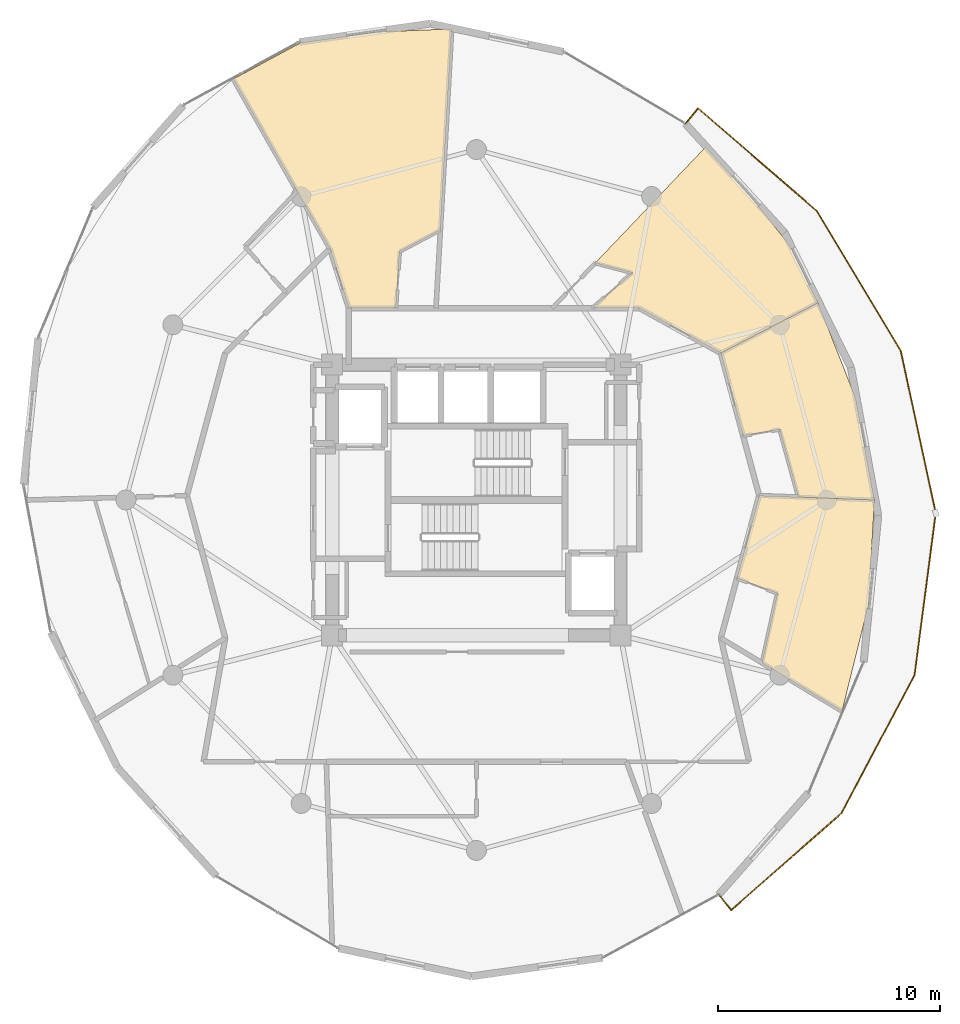
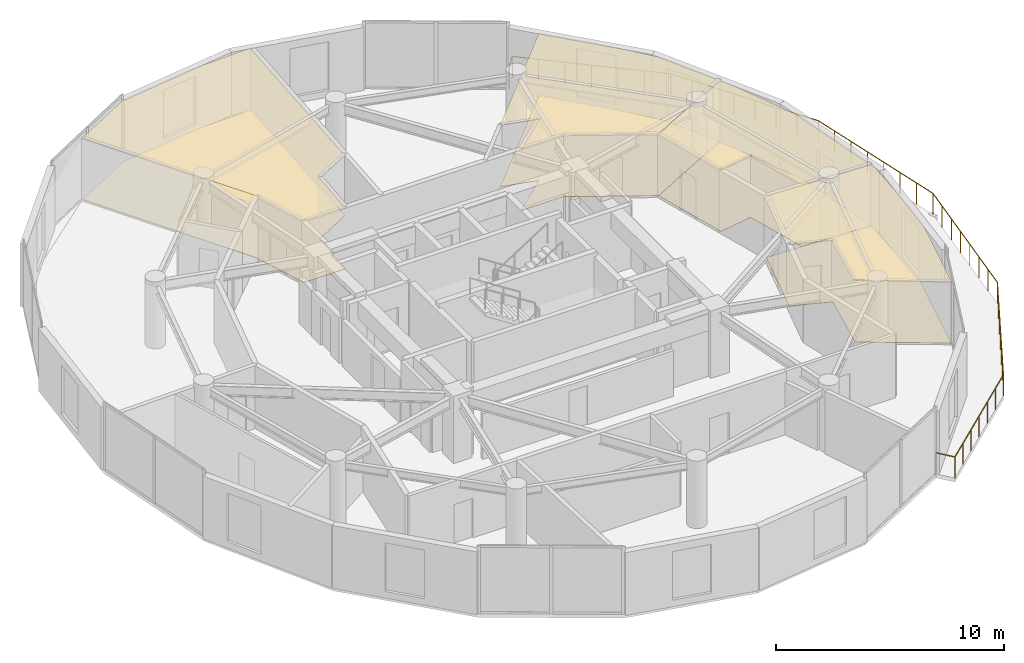
# One storey, part 21 of 21: 8 coverings, 1 railing.
"""IFC4 building model written with IfcOpenShell, lengths in metres."""

from ifc_helpers import new_model, si_unit, direction, frame, origin, origin_2d, place, context, subcontext, project, spatial, polyline, circle, outline, extrude, material, layer, layer_set, type_object, element, save


model = new_model("IFC4")

# Units and contexts
model_context = context("Model", 3, precision=1e-05, world=origin(), true_north=direction((0.0, 1.0)))
body_context = subcontext(model_context, "Body", "Model", "MODEL_VIEW")
ifc_project = project(units=[si_unit("LENGTHUNIT", "METRE"), si_unit("AREAUNIT", "SQUARE_METRE"), si_unit("VOLUMEUNIT", "CUBIC_METRE"), si_unit("PLANEANGLEUNIT", "RADIAN"), si_unit("MASSUNIT", "GRAM", prefix="KILO")], contexts=[model_context])

# Site, building, storey
site_placement = place(None, origin())
site = spatial("IfcSite", under=ifc_project, at=site_placement, CompositionType="ELEMENT")
building_placement = place(site_placement, origin())
building = spatial("IfcBuilding", under=site, at=building_placement, Name="Solvirekh Grand Hotel", CompositionType="ELEMENT")
storey_placement = place(building_placement, frame((0.0, 0.0, 223.60009765625)))
storey = spatial("IfcBuildingStorey", under=building, at=storey_placement, Name="L58", CompositionType="ELEMENT", Elevation=223.60009765625)

# Coverings
ifc_material_1 = material(Name="Acoustic Mineral Ceiling Tile")
ifc_layer_1 = layer(ifc_material_1, 0.02490234375)
ifc_layer_set_1 = layer_set([ifc_layer_1], Name="Acoustic Mineral Ceiling Tile")
covering_type_1 = type_object("IfcCoveringType", Name="Cov_Ceiling_Acoustic", PredefinedType="CEILING", material=ifc_layer_set_1)
covering_1_placement = place(storey_placement, frame((0.0, 0.0, 3.309814453125)))
element("IfcCovering", 1, at=covering_1_placement, inside=storey, type_object=covering_type_1, Name="L58 Deluxe Guestroom 6001 acoustic ceiling", PredefinedType="CEILING", context=body_context, shape_type="SweptSolid", body=[
    extrude(outline(polyline([(3.419921875, 8.64990234375), (5.35595703125, 10.68310546875), (7.031005859375, 10.2470703125), (5.22802734375, 8.64990234375), (7.35009765625, 8.64990234375), (11.02197265625, 6.625), (15.405029296875, 8.89404296875), (14.14599609375, 11.455078125), (12.340087890625, 13.705078125), (10.3330078125, 15.912109375), (3.419921875, 8.64990234375)])), origin(), (0.0, 0.0, 1.0), 0.01806640625),
])
covering_2_placement = place(storey_placement, frame((0.0, 0.0, 3.309814453125)))
element("IfcCovering", 2, at=covering_2_placement, inside=storey, type_object=covering_type_1, Name="L58 Deluxe Guestroom 6002 acoustic ceiling", PredefinedType="CEILING", context=body_context, shape_type="SweptSolid", body=[
    extrude(outline(polyline([(-3.6279296875, 8.64990234375), (-3.4609375, 11.2041015625), (-1.6220703125, 12.175048828125), (-1.113037109375, 21.239990234375), (-4.485107421875, 21.10205078125), (-7.9150390625, 20.618896484375), (-10.958984375, 18.98193359375), (-6.60009765625, 11.327880859375), (-5.75, 8.64990234375), (-3.6279296875, 8.64990234375)])), origin(), (0.0, 0.0, 1.0), 0.01806640625),
])
covering_3_placement = place(storey_placement, frame((0.0, 0.0, 3.309814453125)))
element("IfcCovering", 3, at=covering_3_placement, inside=storey, type_object=covering_type_1, Name="L58 Deluxe Guestroom 6004 acoustic ceiling", PredefinedType="CEILING", context=body_context, shape_type="SweptSolid", body=[
    extrude(outline(polyline([(13.568115234375, -4.2041015625), (12.8798828125, -7.344970703125), (16.487060546875, -9.51904296875), (17.676025390625, -4.736083984375), (17.947998046875, 0.0), (12.75, 0.199951171875), (11.748046875, -3.52587890625), (13.568115234375, -4.2041015625)])), origin(), (0.0, 0.0, 1.0), 0.01806640625),
])
covering_4_placement = place(storey_placement, frame((0.0, 0.0, 3.309814453125)))
element("IfcCovering", 4, at=covering_4_placement, inside=storey, type_object=covering_type_1, Name="L58 Deluxe Guestroom 6005 acoustic ceiling", PredefinedType="CEILING", context=body_context, shape_type="SweptSolid", body=[
    extrude(outline(polyline([(13.675048828125, 3.18310546875), (14.51708984375, 0.132080078125), (17.947998046875, 0.0), (17.10302734375, 4.5830078125), (15.405029296875, 8.89404296875), (11.02197265625, 6.625), (12.02392578125, 2.89794921875), (13.675048828125, 3.18310546875)])), origin(), (0.0, 0.0, 1.0), 0.01806640625),
])
ifc_material_2 = material(Name="Porcelain Stoneware Flooring", Category="masonry")
ifc_layer_2 = layer(ifc_material_2, 0.030029296875)
ifc_layer_set_2 = layer_set([ifc_layer_2], Name="Porcelain Stoneware Flooring")
covering_type_2 = type_object("IfcCoveringType", Name="Cov_Floor_Stone", PredefinedType="FLOORING", material=ifc_layer_set_2)
covering_5_placement = place(storey_placement, origin())
element("IfcCovering", 5, at=covering_5_placement, inside=storey, type_object=covering_type_2, Name="L58 Deluxe Guestroom 6001 polished granite flooring", PredefinedType="FLOORING", context=body_context, shape_type="SweptSolid", body=[
    extrude(outline(polyline([(3.419921875, 8.64990234375), (5.35595703125, 10.68310546875), (7.031005859375, 10.2470703125), (5.22802734375, 8.64990234375), (7.35009765625, 8.64990234375), (11.02197265625, 6.625), (15.405029296875, 8.89404296875), (14.14599609375, 11.455078125), (12.340087890625, 13.705078125), (10.3330078125, 15.912109375), (3.419921875, 8.64990234375)])), origin(), (0.0, 0.0, 1.0), 0.02001953125),
])
covering_6_placement = place(storey_placement, origin())
element("IfcCovering", 6, at=covering_6_placement, inside=storey, type_object=covering_type_2, Name="L58 Deluxe Guestroom 6002 polished granite flooring", PredefinedType="FLOORING", context=body_context, shape_type="SweptSolid", body=[
    extrude(outline(polyline([(-3.6279296875, 8.64990234375), (-3.4609375, 11.2041015625), (-1.6220703125, 12.175048828125), (-1.113037109375, 21.239990234375), (-4.485107421875, 21.10205078125), (-7.9150390625, 20.618896484375), (-10.958984375, 18.98193359375), (-6.60009765625, 11.327880859375), (-5.75, 8.64990234375), (-3.6279296875, 8.64990234375)])), origin(), (0.0, 0.0, 1.0), 0.02001953125),
])
covering_7_placement = place(storey_placement, origin())
element("IfcCovering", 7, at=covering_7_placement, inside=storey, type_object=covering_type_2, Name="L58 Deluxe Guestroom 6004 polished granite flooring", PredefinedType="FLOORING", context=body_context, shape_type="SweptSolid", body=[
    extrude(outline(polyline([(13.568115234375, -4.2041015625), (12.8798828125, -7.344970703125), (16.487060546875, -9.51904296875), (17.676025390625, -4.736083984375), (17.947998046875, 0.0), (12.75, 0.199951171875), (11.748046875, -3.52587890625), (13.568115234375, -4.2041015625)])), origin(), (0.0, 0.0, 1.0), 0.02001953125),
])
covering_8_placement = place(storey_placement, origin())
element("IfcCovering", 8, at=covering_8_placement, inside=storey, type_object=covering_type_2, Name="L58 Deluxe Guestroom 6005 polished granite flooring", PredefinedType="FLOORING", context=body_context, shape_type="SweptSolid", body=[
    extrude(outline(polyline([(13.675048828125, 3.18310546875), (14.51708984375, 0.132080078125), (17.947998046875, 0.0), (17.10302734375, 4.5830078125), (15.405029296875, 8.89404296875), (11.02197265625, 6.625), (12.02392578125, 2.89794921875), (13.675048828125, 3.18310546875)])), origin(), (0.0, 0.0, 1.0), 0.02001953125),
])

# Railing
ifc_material_3 = material(Name="Anodized Bronze Aluminium 6063-T6", Category="aluminium")
railing_type = type_object("IfcRailingType", Name="Guard_ExtGlass_1150", PredefinedType="BALUSTRADE", material=ifc_material_3)
railing_placement = place(storey_placement, frame((10.926025390625, -17.7919921875, 0.0)))
element("IfcRailing", 9, at=railing_placement, inside=storey, type_object=railing_type, Name="L58 balc perimeter glass balustrade", PredefinedType="BALUSTRADE", context=body_context, shape_type="SweptSolid", body=[
    extrude(circle(Radius=0.02392578125, at=origin_2d()), frame((0.0, 0.0, 1.1259765625), z_axis=(0.625687213888, -0.780074041599, 0.0), x_axis=(0.780074041599, 0.625687213888, 0.0)), (0.0, 0.0, 1.0), 0.89990234375),
    extrude(circle(Radius=0.02392578125, at=origin_2d()), frame((0.56298828125, -0.701904296875, 1.1259765625), z_axis=(0.75120142637, 0.660073039156, 0.0), x_axis=(-0.660073039156, 0.75120142637, 0.0)), (0.0, 0.0, 1.0), 6.628173828125),
    extrude(circle(Radius=0.02392578125, at=origin_2d()), frame((5.5419921875, 3.673095703125, 1.1259765625), z_axis=(0.467012784818, 0.884250563368, 0.0), x_axis=(-0.884250563368, 0.467012784818, 0.0)), (0.0, 0.0, 1.0), 7.05322265625),
    extrude(circle(Radius=0.02392578125, at=origin_2d()), frame((8.8359375, 9.909912109375, 1.1259765625), z_axis=(0.129437084807, 0.991587636609, 0.0), x_axis=(-0.991587636609, 0.129437084807, 0.0)), (0.0, 0.0, 1.0), 7.35595703125),
    extrude(circle(Radius=0.02392578125, at=origin_2d()), frame((9.7880859375, 17.2041015625, 1.1259765625), z_axis=(-0.210762590462, 0.977537278298, 0.0), x_axis=(-0.977537278298, -0.210762590462, 0.0)), (0.0, 0.0, 1.0), 7.473876953125),
    extrude(circle(Radius=0.02392578125, at=origin_2d()), frame((8.212890625, 24.510009765625, 1.1259765625), z_axis=(-0.514880131465, 0.857262182896, 0.0), x_axis=(-0.857262182896, -0.514880131465, 0.0)), (0.0, 0.0, 1.0), 7.378173828125),
    extrude(circle(Radius=0.02392578125, at=origin_2d()), frame((4.4140625, 30.8349609375, 1.1259765625), z_axis=(-0.756479573232, 0.654017320323, 0.0), x_axis=(-0.654017320323, -0.756479573232, 0.0)), (0.0, 0.0, 1.0), 7.067138671875),
    extrude(circle(Radius=0.02392578125, at=origin_2d()), frame((-0.93212890625, 35.45703125, 1.1259765625), z_axis=(-0.632927630823, -0.774210962297, 0.0), x_axis=(0.774210962297, -0.632927630823, 0.0)), (0.0, 0.0, 1.0), 0.900390625),
    extrude(circle(Radius=0.02099609375, at=origin_2d()), origin(), (0.0, 0.0, 1.0), 1.101806640625),
    extrude(circle(Radius=0.02099609375, at=origin_2d()), frame((0.56298828125, -0.701904296875, 0.0)), (0.0, 0.0, 1.0), 1.101806640625),
    extrude(circle(Radius=0.02099609375, at=origin_2d()), frame((1.392822265625, 0.02734375, 0.0)), (0.0, 0.0, 1.0), 1.101806640625),
    extrude(circle(Radius=0.02099609375, at=origin_2d()), frame((2.22265625, 0.75634765625, 0.0)), (0.0, 0.0, 1.0), 1.101806640625),
    extrude(circle(Radius=0.02099609375, at=origin_2d()), frame((3.052490234375, 1.485595703125, 0.0)), (0.0, 0.0, 1.0), 1.101806640625),
    extrude(circle(Radius=0.02099609375, at=origin_2d()), frame((3.88232421875, 2.21484375, 0.0)), (0.0, 0.0, 1.0), 1.101806640625),
    extrude(circle(Radius=0.02099609375, at=origin_2d()), frame((4.712158203125, 2.94384765625, 0.0)), (0.0, 0.0, 1.0), 1.101806640625),
    extrude(circle(Radius=0.02099609375, at=origin_2d()), frame((5.5419921875, 3.673095703125, 0.0)), (0.0, 0.0, 1.0), 1.101806640625),
    extrude(circle(Radius=0.02099609375, at=origin_2d()), frame((6.091064453125, 4.712646484375, 0.0)), (0.0, 0.0, 1.0), 1.101806640625),
    extrude(circle(Radius=0.02099609375, at=origin_2d()), frame((6.639892578125, 5.751953125, 0.0)), (0.0, 0.0, 1.0), 1.101806640625),
    extrude(circle(Radius=0.02099609375, at=origin_2d()), frame((7.18896484375, 6.79150390625, 0.0)), (0.0, 0.0, 1.0), 1.101806640625),
    extrude(circle(Radius=0.02099609375, at=origin_2d()), frame((7.738037109375, 7.8310546875, 0.0)), (0.0, 0.0, 1.0), 1.101806640625),
    extrude(circle(Radius=0.02099609375, at=origin_2d()), frame((8.286865234375, 8.870361328125, 0.0)), (0.0, 0.0, 1.0), 1.101806640625),
    extrude(circle(Radius=0.02099609375, at=origin_2d()), frame((8.8359375, 9.909912109375, 0.0)), (0.0, 0.0, 1.0), 1.101806640625),
    extrude(circle(Radius=0.02099609375, at=origin_2d()), frame((8.971923828125, 10.951904296875, 0.0)), (0.0, 0.0, 1.0), 1.101806640625),
    extrude(circle(Radius=0.02099609375, at=origin_2d()), frame((9.10791015625, 11.993896484375, 0.0)), (0.0, 0.0, 1.0), 1.101806640625),
    extrude(circle(Radius=0.02099609375, at=origin_2d()), frame((9.243896484375, 13.035888671875, 0.0)), (0.0, 0.0, 1.0), 1.101806640625),
    extrude(circle(Radius=0.02099609375, at=origin_2d()), frame((9.380126953125, 14.078125, 0.0)), (0.0, 0.0, 1.0), 1.101806640625),
    extrude(circle(Radius=0.02099609375, at=origin_2d()), frame((9.51611328125, 15.1201171875, 0.0)), (0.0, 0.0, 1.0), 1.101806640625),
    extrude(circle(Radius=0.02099609375, at=origin_2d()), frame((9.652099609375, 16.162109375, 0.0)), (0.0, 0.0, 1.0), 1.101806640625),
    extrude(circle(Radius=0.02099609375, at=origin_2d()), frame((9.7880859375, 17.2041015625, 0.0)), (0.0, 0.0, 1.0), 1.101806640625),
    extrude(circle(Radius=0.02099609375, at=origin_2d()), frame((9.56298828125, 18.247802734375, 0.0)), (0.0, 0.0, 1.0), 1.101806640625),
    extrude(circle(Radius=0.02099609375, at=origin_2d()), frame((9.338134765625, 19.29150390625, 0.0)), (0.0, 0.0, 1.0), 1.101806640625),
    extrude(circle(Radius=0.02099609375, at=origin_2d()), frame((9.113037109375, 20.335205078125, 0.0)), (0.0, 0.0, 1.0), 1.101806640625),
    extrude(circle(Radius=0.02099609375, at=origin_2d()), frame((8.887939453125, 21.37890625, 0.0)), (0.0, 0.0, 1.0), 1.101806640625),
    extrude(circle(Radius=0.02099609375, at=origin_2d()), frame((8.662841796875, 22.422607421875, 0.0)), (0.0, 0.0, 1.0), 1.101806640625),
    extrude(circle(Radius=0.02099609375, at=origin_2d()), frame((8.43798828125, 23.46630859375, 0.0)), (0.0, 0.0, 1.0), 1.101806640625),
    extrude(circle(Radius=0.02099609375, at=origin_2d()), frame((8.212890625, 24.510009765625, 0.0)), (0.0, 0.0, 1.0), 1.101806640625),
    extrude(circle(Radius=0.02099609375, at=origin_2d()), frame((7.670166015625, 25.41357421875, 0.0)), (0.0, 0.0, 1.0), 1.101806640625),
    extrude(circle(Radius=0.02099609375, at=origin_2d()), frame((7.12744140625, 26.317138671875, 0.0)), (0.0, 0.0, 1.0), 1.101806640625),
    extrude(circle(Radius=0.02099609375, at=origin_2d()), frame((6.584716796875, 27.220703125, 0.0)), (0.0, 0.0, 1.0), 1.101806640625),
    extrude(circle(Radius=0.02099609375, at=origin_2d()), frame((6.042236328125, 28.124267578125, 0.0)), (0.0, 0.0, 1.0), 1.101806640625),
    extrude(circle(Radius=0.02099609375, at=origin_2d()), frame((5.49951171875, 29.02783203125, 0.0)), (0.0, 0.0, 1.0), 1.101806640625),
    extrude(circle(Radius=0.02099609375, at=origin_2d()), frame((4.956787109375, 29.931396484375, 0.0)), (0.0, 0.0, 1.0), 1.101806640625),
    extrude(circle(Radius=0.02099609375, at=origin_2d()), frame((4.4140625, 30.8349609375, 0.0)), (0.0, 0.0, 1.0), 1.101806640625),
    extrude(circle(Radius=0.02099609375, at=origin_2d()), frame((3.52294921875, 31.605224609375, 0.0)), (0.0, 0.0, 1.0), 1.101806640625),
    extrude(circle(Radius=0.02099609375, at=origin_2d()), frame((2.632080078125, 32.375732421875, 0.0)), (0.0, 0.0, 1.0), 1.101806640625),
    extrude(circle(Radius=0.02099609375, at=origin_2d()), frame((1.740966796875, 33.14599609375, 0.0)), (0.0, 0.0, 1.0), 1.101806640625),
    extrude(circle(Radius=0.02099609375, at=origin_2d()), frame((0.849853515625, 33.916259765625, 0.0)), (0.0, 0.0, 1.0), 1.101806640625),
    extrude(circle(Radius=0.02099609375, at=origin_2d()), frame((-0.041015625, 34.686767578125, 0.0)), (0.0, 0.0, 1.0), 1.101806640625),
    extrude(circle(Radius=0.02099609375, at=origin_2d()), frame((-0.93212890625, 35.45703125, 0.0)), (0.0, 0.0, 1.0), 1.101806640625),
    extrude(circle(Radius=0.02099609375, at=origin_2d()), frame((-1.501953125, 34.760009765625, 0.0)), (0.0, 0.0, 1.0), 1.101806640625),
])

save(model, "model.ifc")
